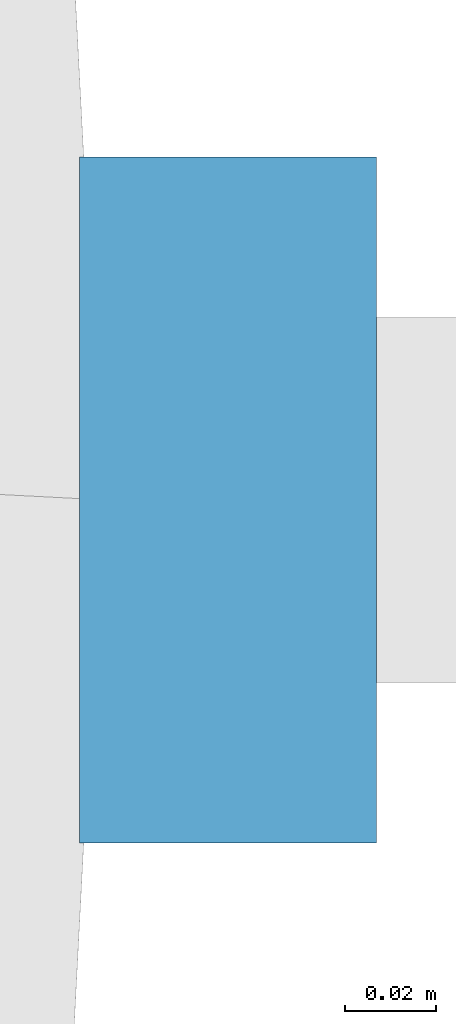
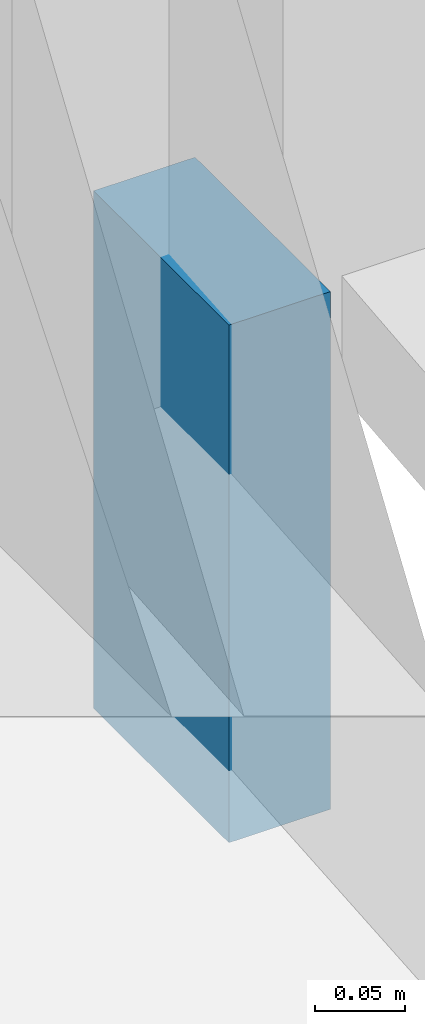
# One storey, part 16 of 20: 1 discrete accessory.
"""IFC4 building model written with IfcOpenShell, lengths in metres."""

from ifc_helpers import new_model, si_unit, direction, frame, origin, origin_2d, place, context, subcontext, project, spatial, rectangle, extrude, material, type_object, element, save


model = new_model("IFC4")

# Units and contexts
model_context = context("Model", 3, precision=1e-05, world=origin(), true_north=direction((0.0, 1.0)))
body_context = subcontext(model_context, "Body", "Model", "MODEL_VIEW")
ifc_project = project(units=[si_unit("LENGTHUNIT", "METRE"), si_unit("AREAUNIT", "SQUARE_METRE"), si_unit("VOLUMEUNIT", "CUBIC_METRE"), si_unit("PLANEANGLEUNIT", "RADIAN"), si_unit("MASSUNIT", "GRAM", prefix="KILO")], contexts=[model_context])

# Site, building, storey
site_placement = place(None, origin())
site = spatial("IfcSite", under=ifc_project, at=site_placement, CompositionType="ELEMENT")
building_placement = place(site_placement, origin())
building = spatial("IfcBuilding", under=site, at=building_placement, Name="Ghaith Harvest Tower", CompositionType="ELEMENT")
storey_placement = place(building_placement, frame((0.0, 0.0, 45.0)))
storey = spatial("IfcBuildingStorey", under=building, at=storey_placement, Name="L09", CompositionType="ELEMENT", Elevation=45.0)

# Discrete accessory
ifc_material = material(Name="Stainless steel grade 1.4401", Category="steel")
discrete_accessory_type = type_object("IfcDiscreteAccessoryType", Name="CURTAIN WALL BRACKET 65", PredefinedType="BRACKET", material=ifc_material)
discrete_accessory_placement = place(storey_placement, frame((34.152587890625, 0.0, -0.25), z_axis=(0.0, 0.0, 1.0), x_axis=(1.0, 0.0, 0.0)))
element("IfcDiscreteAccessory", 1, at=discrete_accessory_placement, inside=storey, type_object=discrete_accessory_type, Name="CW-F bracket 1 bay 01 L09", PredefinedType="BRACKET", context=body_context, shape_type="SweptSolid", body=[
    extrude(rectangle(XDim=0.06494140625, YDim=0.14990234375, at=origin_2d()), origin(), (0.0, 0.0, 1.0), 0.35009765625),
])

save(model, "model.ifc")
